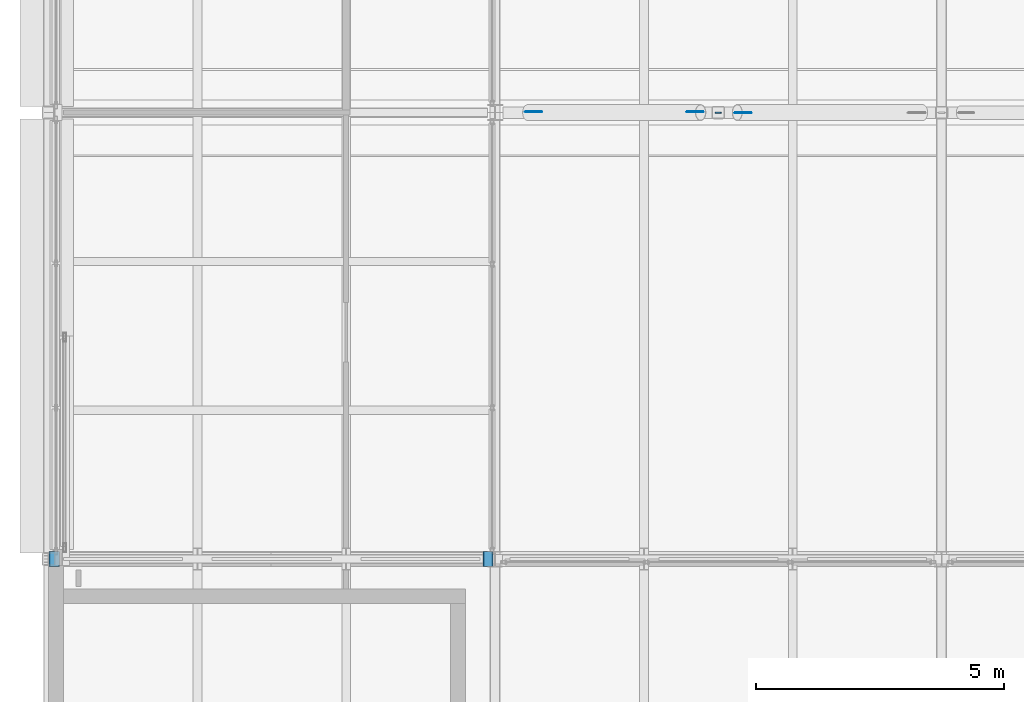
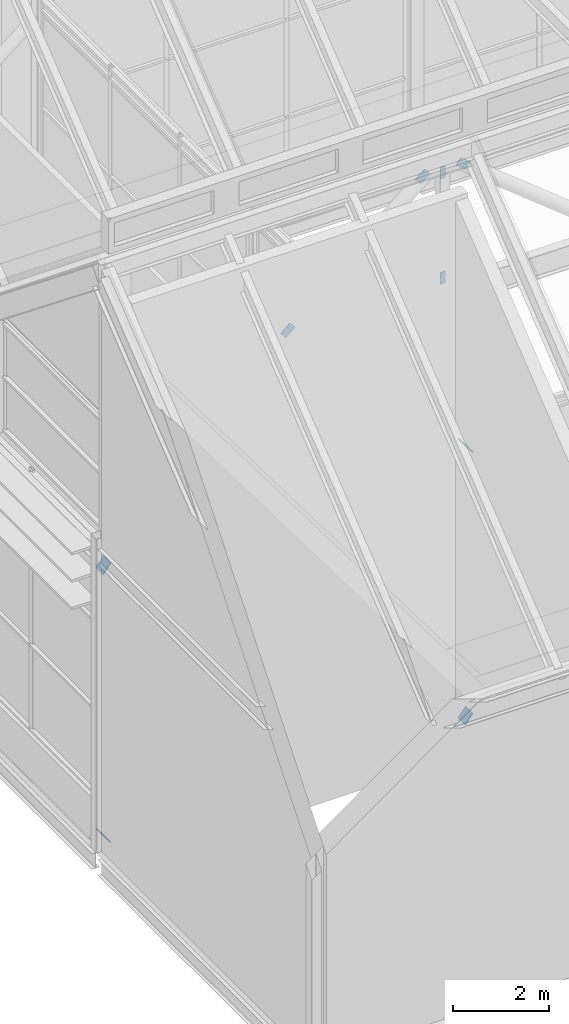
# One storey, part 133 of 144: 9 discrete accessories.
"""IFC4 building model written with IfcOpenShell, lengths in metres."""

from ifc_helpers import new_model, si_unit, direction, frame, origin, place, context, subcontext, project, spatial, polyline, outline, extrude, material, layer, layer_set, type_object, element, save


model = new_model("IFC4")

# Units and contexts
model_context = context("Model", 3, precision=1e-05, world=origin(), true_north=direction((0.0, 1.0)))
body_context = subcontext(model_context, "Body", "Model", "MODEL_VIEW")
ifc_project = project(units=[si_unit("LENGTHUNIT", "METRE"), si_unit("AREAUNIT", "SQUARE_METRE"), si_unit("VOLUMEUNIT", "CUBIC_METRE"), si_unit("PLANEANGLEUNIT", "RADIAN"), si_unit("MASSUNIT", "GRAM", prefix="KILO")], contexts=[model_context])

# Site, building, storey
site_placement = place(None, origin())
site = spatial("IfcSite", under=ifc_project, at=site_placement, CompositionType="ELEMENT")
building_placement = place(site_placement, origin())
building = spatial("IfcBuilding", under=site, at=building_placement, Name="Shorebreak Coast Museum", CompositionType="ELEMENT")
storey_placement = place(building_placement, frame((0.0, 0.0, 36.0)))
storey = spatial("IfcBuildingStorey", under=building, at=storey_placement, Name="L06", CompositionType="ELEMENT", Elevation=36.0)

# Discrete accessories
ifc_material_1 = material(Name="Steel Grade 300", Category="steel")
ifc_layer_1 = layer(ifc_material_1, 0.02490234375)
ifc_layer_set_1 = layer_set([ifc_layer_1], Name="Steel Grade 300")
discrete_accessory_type_1 = type_object("IfcDiscreteAccessoryType", Name="End plate 300 x 300 x 25", PredefinedType="BRACKET", material=ifc_layer_set_1)
discrete_accessory_1_placement = place(storey_placement, frame((54.218017578125, 62.85009765625, 0.18212890625), z_axis=(0.784820307898, 0.0, 0.619723393387), x_axis=(0.0, 1.0, 0.0)))
element("IfcDiscreteAccessory", 1, at=discrete_accessory_1_placement, inside=storey, type_object=discrete_accessory_type_1, Name="End plate X-brace bay 01 L06 diagonal 1 end 1", PredefinedType="BRACKET", context=body_context, shape_type="SweptSolid", body=[
    extrude(outline(polyline([(0.0, 0.0), (0.2998046875, 0.0), (0.2998046875, 0.3001906305865075), (0.0, 0.3001906305865075), (0.0, 0.0)])), origin(), (0.0, 0.0, -1.0), 0.02490234375),
])
for number, where, z_axis, x_axis, name in (
    (2, (62.958984375, 62.85009765625, 7.07861328125), (0.785215906045, 0.0, 0.619222077202), (0.0, 1.0, 0.0), "End plate X-brace bay 01 L06 diagonal 1 end 2"),
    (3, (62.753662109375, 63.14990234375, 0.18212890625), (-0.785215906045, 0.0, 0.619222077202), (0.0, -1.0, 0.0), "End plate X-brace bay 01 L06 diagonal 2 end 1"),
    (4, (54.012451171875, 63.14990234375, 7.07861328125), (-0.785215906045, 0.0, 0.619222077202), (0.0, -1.0, 0.0), "End plate X-brace bay 01 L06 diagonal 2 end 2"),
):
    element("IfcDiscreteAccessory", number, at=place(storey_placement, frame(where, z_axis=z_axis, x_axis=x_axis)), inside=storey, type_object=discrete_accessory_type_1, Name=name, PredefinedType="BRACKET", context=body_context, shape_type="SweptSolid", body=[
        extrude(outline(polyline([(0.0, 0.0), (0.2998046875, 0.0), (0.2998046875, 0.300039392110323), (0.0, 0.300039392110323), (0.0, 0.0)])), origin(), (0.0, 0.0, -1.0), 0.02490234375),
    ])
ifc_material_2 = material(Name="Steel Grade 300", Category="steel")
ifc_layer_2 = layer(ifc_material_2, 0.02001953125)
ifc_layer_set_2 = layer_set([ifc_layer_2], Name="Steel Grade 300")
discrete_accessory_type_2 = type_object("IfcDiscreteAccessoryType", Name="Gusset plate 120 x 300 x 20", PredefinedType="BRACKET", material=ifc_layer_set_2)
for number, where, z_axis, x_axis, name in (
    (5, (67.43994140625, 71.989990234375, 4.235595703125), (0.0, -1.0, 0.0), (1.0, 0.0, 0.0), "Gusset plate Atrium roof truss TA3 strut V01 end 1"),
    (6, (67.43994140625, 71.989990234375, 6.923583984375), (0.0, -1.0, 0.0), (1.0, 0.0, 0.0), "Gusset plate Atrium roof truss TA3 strut V01 end 2"),
):
    element("IfcDiscreteAccessory", number, at=place(storey_placement, frame(where, z_axis=z_axis, x_axis=x_axis)), inside=storey, type_object=discrete_accessory_type_2, Name=name, PredefinedType="BRACKET", context=body_context, shape_type="SweptSolid", body=[
        extrude(outline(polyline([(0.0, 0.0), (0.1201171875, 0.0), (0.1201171875, 0.2998046875), (0.0, 0.2998046875), (0.0, 0.0)])), origin(), (0.0, 0.0, -1.0), 0.02001953125),
    ])
ifc_material_3 = material(Name="Steel Grade 300", Category="steel")
ifc_layer_3 = layer(ifc_material_3, 0.02001953125)
ifc_layer_set_3 = layer_set([ifc_layer_3], Name="Steel Grade 300")
discrete_accessory_type_3 = type_object("IfcDiscreteAccessoryType", Name="Gusset plate 200 x 300 x 20", PredefinedType="BRACKET", material=ifc_layer_set_3)
discrete_accessory_2_placement = place(storey_placement, frame((63.596923828125, 72.010009765625, 4.311279296875), z_axis=(0.0, -1.0, 0.0), x_axis=(0.6512943826, 0.0, -0.758825162467)))
element("IfcDiscreteAccessory", 7, at=discrete_accessory_2_placement, inside=storey, type_object=discrete_accessory_type_3, Name="Gusset plate Atrium roof truss TA3 diagonal D01 end 1", PredefinedType="BRACKET", context=body_context, shape_type="SweptSolid", body=[
    extrude(outline(polyline([(0.0, 0.0), (0.19979744429151833, 0.0), (0.19994332539324372, 0.30005356022023666), (-0.000198386365332065, 0.3000273075884333), (0.0, 0.0)])), origin(), (0.0, 0.0, -1.0), 0.02001953125),
])
discrete_accessory_3_placement = place(storey_placement, frame((66.8505859375, 72.010009765625, 7.10400390625), z_axis=(0.0, -1.0, 0.0), x_axis=(0.651393912258, 0.0, -0.758739725514)))
element("IfcDiscreteAccessory", 8, at=discrete_accessory_3_placement, inside=storey, type_object=discrete_accessory_type_3, Name="Gusset plate Atrium roof truss TA3 diagonal D01 end 2", PredefinedType="BRACKET", context=body_context, shape_type="SweptSolid", body=[
    extrude(outline(polyline([(0.0, 0.0), (0.2001417134803575, 0.0), (0.19998268176349765, 0.3000273310297369), (0.0001852391907993245, 0.3000535385036764), (0.0, 0.0)])), origin(), (0.0, 0.0, -1.0), 0.02001953125),
])
discrete_accessory_4_placement = place(storey_placement, frame((68.05419921875, 71.989990234375, 6.9580078125), z_axis=(0.0, -1.0, 0.0), x_axis=(0.624695047554, 0.0, 0.780868809443)))
element("IfcDiscreteAccessory", 9, at=discrete_accessory_4_placement, inside=storey, type_object=discrete_accessory_type_3, Name="Gusset plate Atrium roof truss TA3 diagonal D02 end 2", PredefinedType="BRACKET", context=body_context, shape_type="SweptSolid", body=[
    extrude(outline(polyline([(0.0, 0.0), (0.20009763241977652, 0.0), (0.2000595040599405, 0.29980329339114004), (0.00015251343934435946, 0.2999558068304844), (0.0, 0.0)])), origin(), (0.0, 0.0, -1.0), 0.02001953125),
])

save(model, "model.ifc")
